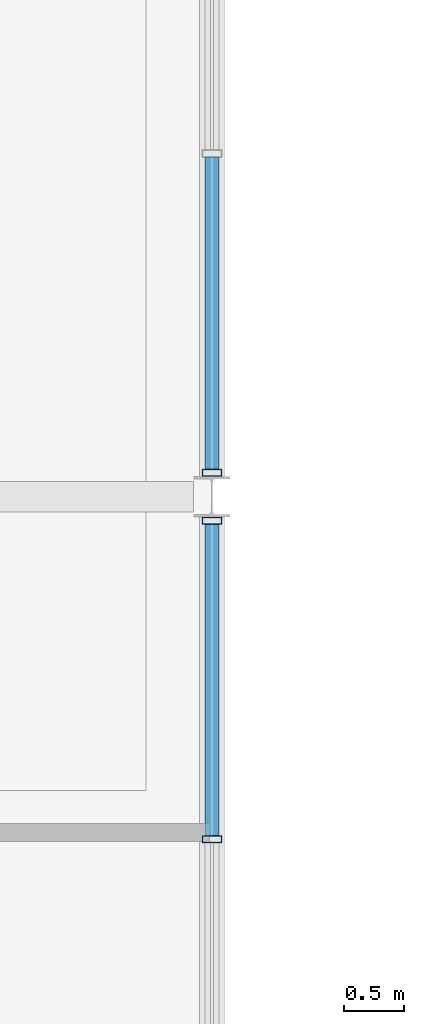
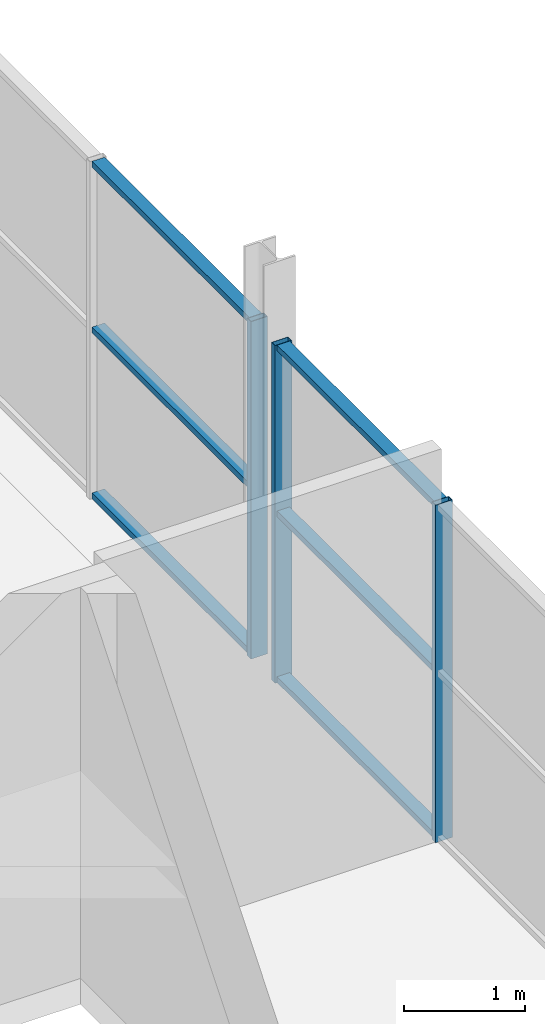
# One storey, part 60 of 93: 9 members, 2 elements without a shape of their own.
"""IFC4 building model written with IfcOpenShell, lengths in metres."""

import ifcopenshell
import ifcopenshell.guid

model = None  # the IFC model being written
_history = None  # IfcOwnerHistory: only IFC2X3 demands one
_inside = {}  # id of a spatial element -> (the spatial element, [elements in it])
_under = {}  # id of a project, library or spatial element -> (it, [spatial elements below it])
_declared = {}  # id of a project -> (the project, [libraries it declares])
_typed = {}  # id of a type object -> (the type object, [elements of that type])
_made_of = {}  # id of a material, layer set ... -> (it, [elements and type objects made of it])


def new_model(schema):
    """Start an empty IFC model of exactly this schema.

    Asked for "IFC4X3", IfcOpenShell would pick the latest addendum, in which some entities
    have other attributes; the version numbers below select the first issue.
    IFC2X3 requires an IfcOwnerHistory on every rooted entity: one is made here for all.
    """
    global model, _history
    if schema == "IFC4X3":
        model = ifcopenshell.file(schema_version=(4, 3, 0, 0))
    else:
        model = ifcopenshell.file(schema=schema)
    _inside.clear()
    _under.clear()
    _declared.clear()
    _typed.clear()
    _made_of.clear()
    _history = None
    if model.schema == "IFC2X3":
        org = make("IfcOrganization", Name="unknown")
        user = make(
            "IfcPersonAndOrganization",
            ThePerson=make("IfcPerson", FamilyName="unknown"),
            TheOrganization=org,
        )
        app = make(
            "IfcApplication",
            ApplicationDeveloper=org,
            Version="unknown",
            ApplicationFullName="unknown",
            ApplicationIdentifier="unknown",
        )
        _history = make(
            "IfcOwnerHistory",
            OwningUser=user,
            OwningApplication=app,
            ChangeAction="ADDED",
            CreationDate=0,
        )
    return model


def make(cls, **values):
    """One entity of the class cls with the attributes given. An attribute that is None is left unset."""
    return model.create_entity(
        cls, **{name: value for name, value in values.items() if value is not None}
    )


def rooted(cls, **values):
    """An entity with a GlobalId (a new one), such as an element, a storey or a relation."""
    return make(cls, GlobalId=ifcopenshell.guid.new(), OwnerHistory=_history, **values)


def si_unit(unit_type, name, prefix=None):
    """IfcSIUnit, for example si_unit("LENGTHUNIT", "METRE", prefix="MILLI")."""
    return make("IfcSIUnit", UnitType=unit_type, Prefix=prefix, Name=name)


def assignment(units):
    """IfcUnitAssignment: the units of a project."""
    return None if units is None else make("IfcUnitAssignment", Units=units)


def point(xyz):
    """IfcCartesianPoint."""
    return None if xyz is None else make("IfcCartesianPoint", Coordinates=xyz)


def direction(xyz):
    """IfcDirection."""
    return None if xyz is None else make("IfcDirection", DirectionRatios=xyz)


def frame(location, z_axis=None, x_axis=None):
    """IfcAxis2Placement3D, a coordinate frame: its origin and axes. An axis left out is left unset."""
    return make(
        "IfcAxis2Placement3D",
        Location=point(location),
        Axis=direction(z_axis),
        RefDirection=direction(x_axis),
    )


def frame_2d(location, x_axis=None):
    """IfcAxis2Placement2D, a coordinate frame in the plane: its origin and x axis."""
    return make(
        "IfcAxis2Placement2D", Location=point(location), RefDirection=direction(x_axis)
    )


def origin():
    """The frame at (0, 0, 0) with its axes left unset."""
    return frame((0.0, 0.0, 0.0))


def origin_2d():
    """The frame at (0, 0) in the plane with its x axis left unset."""
    return frame_2d((0.0, 0.0))


def place(relative_to, where):
    """IfcLocalPlacement: puts the frame where relative to a parent placement (None: the world)."""
    return make(
        "IfcLocalPlacement", PlacementRelTo=relative_to, RelativePlacement=where
    )


def context(
    kind, dimensions, precision=None, world=None, true_north=None, identifier=None
):
    """IfcGeometricRepresentationContext, for example the 3D "Model" context."""
    return make(
        "IfcGeometricRepresentationContext",
        ContextIdentifier=identifier,
        ContextType=kind,
        CoordinateSpaceDimension=dimensions,
        Precision=precision,
        WorldCoordinateSystem=world,
        TrueNorth=true_north,
    )


def subcontext(parent, identifier, kind, view, scale=None):
    """IfcGeometricRepresentationSubContext, for example "Body" below "Model"."""
    return make(
        "IfcGeometricRepresentationSubContext",
        ContextIdentifier=identifier,
        ContextType=kind,
        ParentContext=parent,
        TargetScale=scale,
        TargetView=view,
    )


def project(units=None, contexts=None):
    """IfcProject with its units and contexts."""
    return rooted(
        "IfcProject",
        Name="project",
        RepresentationContexts=contexts,
        UnitsInContext=assignment(units),
    )


def spatial(cls, under=None, at=None, **own):
    """A site, building, storey or space (cls), placed at a placement, below another one or the project."""
    s = rooted(cls, ObjectPlacement=at, **own)
    if under is not None:
        _under.setdefault(under.id(), (under, []))[1].append(s)
    return s


def profile(cls, at=None, kind="AREA", **sizes):
    """A parametric profile (cls). Its sizes go by their IFC names, for example OverallWidth=200.0."""
    return make(cls, ProfileType=kind, Position=at, **sizes)


def hollow_rectangle(**sizes):
    """IfcRectangleHollowProfileDef."""
    return profile("IfcRectangleHollowProfileDef", **sizes)


def extrude(swept, where, along, depth):
    """IfcExtrudedAreaSolid: the profile swept, set in the frame where, extruded along a direction by depth."""
    return make(
        "IfcExtrudedAreaSolid",
        SweptArea=swept,
        Position=where,
        ExtrudedDirection=direction(along),
        Depth=depth,
    )


def shape(context_of_items, identifier, shape_type, items):
    """IfcShapeRepresentation: the items that make up one representation, for example the "Body"."""
    return make(
        "IfcShapeRepresentation",
        ContextOfItems=context_of_items,
        RepresentationIdentifier=identifier,
        RepresentationType=shape_type,
        Items=items,
    )


def material(Name=None, Category=None):
    """IfcMaterial."""
    return make("IfcMaterial", Name=Name, Category=Category)


def material_profile(
    of_material, cross_section, Name=None, Category=None, Priority=None
):
    """IfcMaterialProfile: a cross section and its material."""
    return make(
        "IfcMaterialProfile",
        Name=Name,
        Material=of_material,
        Profile=cross_section,
        Priority=Priority,
        Category=Category,
    )


def profile_set(profiles, Name=None, composite=None):
    """IfcMaterialProfileSet."""
    return make(
        "IfcMaterialProfileSet",
        Name=Name,
        MaterialProfiles=profiles,
        CompositeProfile=composite,
    )


def made_of(thing, what):
    """Note that an element or type object is made of a material, layer set ...; save() writes the relation."""
    if what is not None:
        _made_of.setdefault(what.id(), (what, []))[1].append(thing)
    return thing


def type_object(cls, material=None, **own):
    """A type object (cls), such as IfcWallType, which elements share."""
    return made_of(rooted(cls, **own), material)


def element(
    cls,
    number,
    at=None,
    inside=None,
    cuts=None,
    type_object=None,
    material=None,
    context=None,
    identifier="Body",
    shape_type=None,
    held_by="IfcProductDefinitionShape",
    body=None,
    shapes=None,
    **own,
):
    """One element of the class cls, such as IfcWall. Its Tag is "e" and its number.

    at: its placement. inside: the storey or other place that contains it. cuts: it is an
    opening in that element (IfcRelVoidsElement). A single representation is given by context,
    identifier, shape_type and body (its items); several are given by shapes. held_by: the class
    of the entity that holds the representations. save() writes the other relations.
    """
    e = rooted(cls, Tag="e%d" % number, ObjectPlacement=at, **own)
    if body is not None:
        shapes = [shape(context, identifier, shape_type, body)]
    if shapes is not None:
        e.Representation = make(held_by, Representations=shapes)
    if inside is not None:
        _inside.setdefault(inside.id(), (inside, []))[1].append(e)
    if cuts is not None:
        rooted(
            "IfcRelVoidsElement", RelatingBuildingElement=cuts, RelatedOpeningElement=e
        )
    if type_object is not None:
        _typed.setdefault(type_object.id(), (type_object, []))[1].append(e)
    return made_of(e, material)


def aggregate(whole, parts):
    """IfcRelAggregates: a whole, such as a stair, and the parts it consists of."""
    return rooted("IfcRelAggregates", RelatingObject=whole, RelatedObjects=parts)


def save(model, path):
    """Write the relations noted so far, then the file.

    IfcRelAggregates (storeys below a building ...), IfcRelContainedInSpatialStructure (elements
    in a storey), IfcRelDefinesByType, IfcRelAssociatesMaterial and IfcRelDeclares: one each for
    every whole, place, type object, material and project.
    """
    for whole, parts in _under.values():
        aggregate(whole, parts)
    for where, things in _inside.values():
        rooted(
            "IfcRelContainedInSpatialStructure",
            RelatedElements=things,
            RelatingStructure=where,
        )
    for kind, things in _typed.values():
        rooted("IfcRelDefinesByType", RelatedObjects=things, RelatingType=kind)
    for what, things in _made_of.values():
        rooted("IfcRelAssociatesMaterial", RelatedObjects=things, RelatingMaterial=what)
    for by, libraries in _declared.values():
        rooted("IfcRelDeclares", RelatingContext=by, RelatedDefinitions=libraries)
    model.write(path)


model = new_model("IFC4")

# Units and contexts
model_context = context("Model", 3, precision=1e-05, world=origin(), true_north=direction((0.0, 1.0)))
body_context = subcontext(model_context, "Body", "Model", "MODEL_VIEW")
ifc_project = project(units=[si_unit("LENGTHUNIT", "METRE"), si_unit("AREAUNIT", "SQUARE_METRE"), si_unit("VOLUMEUNIT", "CUBIC_METRE"), si_unit("PLANEANGLEUNIT", "RADIAN"), si_unit("MASSUNIT", "GRAM", prefix="KILO"), si_unit("THERMODYNAMICTEMPERATUREUNIT", "KELVIN")], contexts=[model_context])

# Site, building, storey
site_placement = place(None, origin())
site = spatial("IfcSite", under=ifc_project, at=site_placement, CompositionType="ELEMENT")
building_placement = place(site_placement, origin())
building = spatial("IfcBuilding", under=site, at=building_placement, Name="Nduvali Passage Aquatics Centre", CompositionType="ELEMENT")
storey_placement = place(building_placement, frame((0.0, 0.0, 9.0)))
storey = spatial("IfcBuildingStorey", under=building, at=storey_placement, Name="L02", CompositionType="ELEMENT", Elevation=9.0)

# Curtain wall, members
ifc_material = material(Name="Aluminium EN AW-6063 T6", Category="aluminium")
curtain_wall_type = type_object("IfcCurtainWallType", Name="ENV-CW-PASS", PredefinedType="NOTDEFINED", material=ifc_material)
curtain_wall_1_placement = place(storey_placement, origin())
curtain_wall_1 = element("IfcCurtainWall", 1, at=curtain_wall_1_placement, inside=storey, type_object=curtain_wall_type, Name="L02 East Passage Studio CW 122", PredefinedType="NOTDEFINED")
ifc_material_profile_1 = material_profile(ifc_material, hollow_rectangle(XDim=0.06005859375, YDim=0.159912109375, WallThickness=0.00390625, at=origin_2d()), Name="ALU MULLION 60x160x4")
ifc_profile_set_1 = profile_set([ifc_material_profile_1], Name="Aluminium EN AW-6063 T6")
member_type_1 = type_object("IfcMemberType", Name="ENV-MEM-MUL60", PredefinedType="MULLION", material=ifc_profile_set_1)
member_1_placement = place(storey_placement, frame((126.0, 106.344970703125, 0.0), z_axis=(0.0, 0.0, 1.0), x_axis=(0.0, 1.0, 0.0)))
member_1 = element("IfcMember", 2, at=member_1_placement, type_object=member_type_1, Name="East Passage Studio CW Mullion 3", PredefinedType="MULLION", context=body_context, shape_type="SweptSolid", body=[
    extrude(hollow_rectangle(XDim=0.06005859375, YDim=0.159912109375, WallThickness=0.00390625, at=origin_2d()), origin(), (0.0, 0.0, 1.0), 3.406494140625),
])
member_2_placement = place(storey_placement, frame((126.0, 109.0, 0.0), z_axis=(0.0, 0.0, 1.0), x_axis=(0.0, 1.0, 0.0)))
member_2 = element("IfcMember", 3, at=member_2_placement, type_object=member_type_1, Name="East Passage Studio CW Mullion 4", PredefinedType="MULLION", context=body_context, shape_type="SweptSolid", body=[
    extrude(hollow_rectangle(XDim=0.06005859375, YDim=0.159912109375, WallThickness=0.00390625, at=origin_2d()), origin(), (0.0, 0.0, 1.0), 3.406494140625),
])

# Curtain wall, member
curtain_wall_2_placement = place(storey_placement, origin())
curtain_wall_2 = element("IfcCurtainWall", 4, at=curtain_wall_2_placement, inside=storey, type_object=curtain_wall_type, Name="L02 East Passage North Studio CW 125", PredefinedType="NOTDEFINED")
member_3_placement = place(storey_placement, frame((126.0, 109.39990234375, 0.0), z_axis=(0.0, 0.0, 1.0), x_axis=(0.0, 1.0, 0.0)))
member_3 = element("IfcMember", 5, at=member_3_placement, type_object=member_type_1, Name="East Passage North Studio CW Mullion 1", PredefinedType="MULLION", context=body_context, shape_type="SweptSolid", body=[
    extrude(hollow_rectangle(XDim=0.06005859375, YDim=0.159912109375, WallThickness=0.00390625, at=origin_2d()), origin(), (0.0, 0.0, 1.0), 3.406494140625),
])

# Member
ifc_material_profile_2 = material_profile(ifc_material, hollow_rectangle(XDim=0.1201171875, YDim=0.06005859375, WallThickness=0.00390625, at=origin_2d()), Name="ALU TRANSOM 120x60x4")
ifc_profile_set_2 = profile_set([ifc_material_profile_2], Name="Aluminium EN AW-6063 T6")
member_type_2 = type_object("IfcMemberType", Name="ENV-MEM-TRN60", PredefinedType="USERDEFINED", material=ifc_profile_set_2)
member_4_placement = place(storey_placement, frame((126.0, 106.375, 0.030029296875), z_axis=(0.0, 1.0, 0.0), x_axis=(-1.0, 0.0, 0.0)))
member_4 = element("IfcMember", 6, at=member_4_placement, type_object=member_type_2, Name="East Passage Studio CW Transom B3-R0", ObjectType="TRANSOM", PredefinedType="USERDEFINED", context=body_context, shape_type="SweptSolid", body=[
    extrude(hollow_rectangle(XDim=0.1201171875, YDim=0.06005859375, WallThickness=0.00390625, at=origin_2d()), origin(), (0.0, 0.0, 1.0), 2.594970703125),
])

member_5_placement = place(storey_placement, frame((126.0, 106.375, 1.703125), z_axis=(0.0, 1.0, 0.0), x_axis=(-1.0, 0.0, 0.0)))
member_5 = element("IfcMember", 7, at=member_5_placement, type_object=member_type_2, Name="East Passage Studio CW Transom B3-R1", ObjectType="TRANSOM", PredefinedType="USERDEFINED", context=body_context, shape_type="SweptSolid", body=[
    extrude(hollow_rectangle(XDim=0.1201171875, YDim=0.06005859375, WallThickness=0.00390625, at=origin_2d()), origin(), (0.0, 0.0, 1.0), 2.594970703125),
])

member_6_placement = place(storey_placement, frame((126.0, 106.375, 3.37646484375), z_axis=(0.0, 1.0, 0.0), x_axis=(-1.0, 0.0, 0.0)))
member_6 = element("IfcMember", 8, at=member_6_placement, type_object=member_type_2, Name="East Passage Studio CW Transom B3-R2", ObjectType="TRANSOM", PredefinedType="USERDEFINED", context=body_context, shape_type="SweptSolid", body=[
    extrude(hollow_rectangle(XDim=0.1201171875, YDim=0.06005859375, WallThickness=0.00390625, at=origin_2d()), origin(), (0.0, 0.0, 1.0), 2.594970703125),
])

aggregate(curtain_wall_1, [member_1, member_2, member_4, member_5, member_6])

member_7_placement = place(storey_placement, frame((126.0, 109.429931640625, 0.030029296875), z_axis=(0.0, 1.0, 0.0), x_axis=(-1.0, 0.0, 0.0)))
member_7 = element("IfcMember", 9, at=member_7_placement, type_object=member_type_2, Name="East Passage North Studio CW Transom B1-R0", ObjectType="TRANSOM", PredefinedType="USERDEFINED", context=body_context, shape_type="SweptSolid", body=[
    extrude(hollow_rectangle(XDim=0.1201171875, YDim=0.06005859375, WallThickness=0.00390625, at=origin_2d()), origin(), (0.0, 0.0, 1.0), 2.60009765625),
])

member_8_placement = place(storey_placement, frame((126.0, 109.429931640625, 1.703125), z_axis=(0.0, 1.0, 0.0), x_axis=(-1.0, 0.0, 0.0)))
member_8 = element("IfcMember", 10, at=member_8_placement, type_object=member_type_2, Name="East Passage North Studio CW Transom B1-R1", ObjectType="TRANSOM", PredefinedType="USERDEFINED", context=body_context, shape_type="SweptSolid", body=[
    extrude(hollow_rectangle(XDim=0.1201171875, YDim=0.06005859375, WallThickness=0.00390625, at=origin_2d()), origin(), (0.0, 0.0, 1.0), 2.60009765625),
])

member_9_placement = place(storey_placement, frame((126.0, 109.429931640625, 3.37646484375), z_axis=(0.0, 1.0, 0.0), x_axis=(-1.0, 0.0, 0.0)))
member_9 = element("IfcMember", 11, at=member_9_placement, type_object=member_type_2, Name="East Passage North Studio CW Transom B1-R2", ObjectType="TRANSOM", PredefinedType="USERDEFINED", context=body_context, shape_type="SweptSolid", body=[
    extrude(hollow_rectangle(XDim=0.1201171875, YDim=0.06005859375, WallThickness=0.00390625, at=origin_2d()), origin(), (0.0, 0.0, 1.0), 2.60009765625),
])

aggregate(curtain_wall_2, [member_3, member_7, member_8, member_9])

save(model, "model.ifc")
